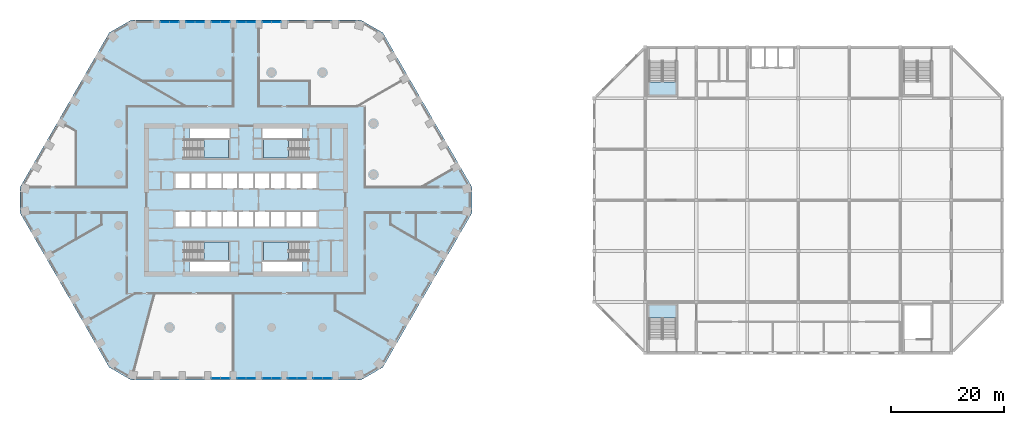
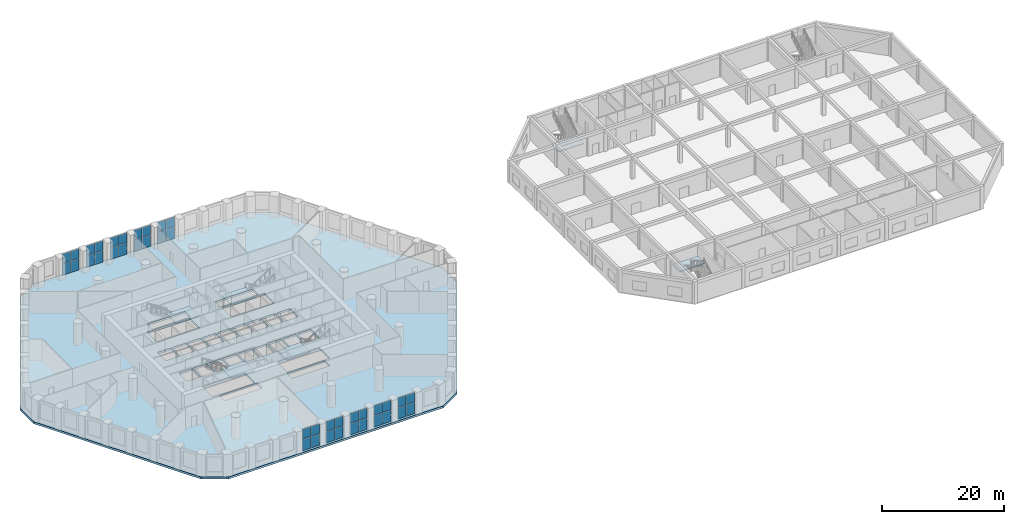
# One storey, part 5 of 26: 40 plates, 7 slabs, 16 elements without a shape of their own.
"""IFC4 building model written with IfcOpenShell, lengths in metres."""

from ifc_helpers import new_model, si_unit, direction, frame, origin, origin_2d, place, context, subcontext, project, spatial, polyline, rectangle, outline, extrude, material, layer, layer_set, type_object, element, aggregate, save


model = new_model("IFC4")

# Units and contexts
model_context = context("Model", 3, precision=1e-05, world=origin(), true_north=direction((0.0, 1.0)))
body_context = subcontext(model_context, "Body", "Model", "MODEL_VIEW")
ifc_project = project(units=[si_unit("LENGTHUNIT", "METRE"), si_unit("AREAUNIT", "SQUARE_METRE"), si_unit("VOLUMEUNIT", "CUBIC_METRE"), si_unit("PLANEANGLEUNIT", "RADIAN"), si_unit("MASSUNIT", "GRAM", prefix="KILO")], contexts=[model_context])

# Site, building, storey
site_placement = place(None, origin())
site = spatial("IfcSite", under=ifc_project, at=site_placement, CompositionType="ELEMENT")
building_placement = place(site_placement, origin())
building = spatial("IfcBuilding", under=site, at=building_placement, Name="Dhurran Vertical Campus", CompositionType="ELEMENT")
storey_placement = place(building_placement, frame((0.0, 0.0, 15.60009765625)))
storey = spatial("IfcBuildingStorey", under=building, at=storey_placement, Name="L03", CompositionType="ELEMENT", Elevation=15.60009765625)

# Slab
ifc_material_1 = material(Name="Concrete C40/50", Category="concrete")
ifc_layer_1 = layer(ifc_material_1, 0.39990234375)
ifc_layer_set_1 = layer_set([ifc_layer_1], Name="Concrete C40/50")
slab_type_1 = type_object("IfcSlabType", Name="FR POST-TENSIONED FLAT SLAB 400", PredefinedType="FLOOR", material=ifc_layer_set_1)
slab_1_placement = place(storey_placement, frame((0.0, 0.0, -0.400146484375)))
element("IfcSlab", 1, at=slab_1_placement, inside=storey, type_object=slab_type_1, Name="Floor slab L03", PredefinedType="FLOOR", context=body_context, shape_type="SweptSolid", body=[
    extrude(outline(polyline([(-20.25, -31.77978515625), (20.25, -31.77978515625), (24.147216796875, -29.52978515625), (39.897216796875, -2.25), (39.897216796875, 2.25), (24.147216796875, 29.52978515625), (20.25, 31.77978515625), (-20.25, 31.77978515625), (-24.147216796875, 29.52978515625), (-39.897216796875, 2.25), (-39.897216796875, -2.25), (-24.147216796875, -29.52978515625), (-20.25, -31.77978515625)]), holes=[polyline([(-12.47509765625, 2.050048828125), (-9.925048828125, 2.050048828125), (-9.925048828125, 4.75), (-12.47509765625, 4.75), (-12.47509765625, 2.050048828125)]), polyline([(-9.675048828125, 2.050048828125), (-7.125, 2.050048828125), (-7.125, 4.75), (-9.675048828125, 4.75), (-9.675048828125, 2.050048828125)]), polyline([(-6.875, 2.050048828125), (-4.324951171875, 2.050048828125), (-4.324951171875, 4.75), (-6.875, 4.75), (-6.875, 2.050048828125)]), polyline([(-1.27490234375, 2.050048828125), (1.27490234375, 2.050048828125), (1.27490234375, 4.75), (-1.27490234375, 4.75), (-1.27490234375, 2.050048828125)]), polyline([(9.925048828125, 2.050048828125), (12.47509765625, 2.050048828125), (12.47509765625, 4.75), (9.925048828125, 4.75), (9.925048828125, 2.050048828125)]), polyline([(-1.27490234375, -4.75), (1.27490234375, -4.75), (1.27490234375, -2.050048828125), (-1.27490234375, -2.050048828125), (-1.27490234375, -4.75)]), polyline([(1.52490234375, -4.75), (4.074951171875, -4.75), (4.074951171875, -2.050048828125), (1.52490234375, -2.050048828125), (1.52490234375, -4.75)]), polyline([(4.324951171875, -4.75), (6.875, -4.75), (6.875, -2.050048828125), (4.324951171875, -2.050048828125), (4.324951171875, -4.75)]), polyline([(7.125, -4.75), (9.675048828125, -4.75), (9.675048828125, -2.050048828125), (7.125, -2.050048828125), (7.125, -4.75)]), polyline([(9.925048828125, -4.75), (12.47509765625, -4.75), (12.47509765625, -2.050048828125), (9.925048828125, -2.050048828125), (9.925048828125, -4.75)]), polyline([(-4.074951171875, 2.050048828125), (-1.52490234375, 2.050048828125), (-1.52490234375, 4.75), (-4.074951171875, 4.75), (-4.074951171875, 2.050048828125)]), polyline([(1.52490234375, 2.050048828125), (4.074951171875, 2.050048828125), (4.074951171875, 4.75), (1.52490234375, 4.75), (1.52490234375, 2.050048828125)]), polyline([(4.324951171875, 2.050048828125), (6.875, 2.050048828125), (6.875, 4.75), (4.324951171875, 4.75), (4.324951171875, 2.050048828125)]), polyline([(7.125, 2.050048828125), (9.675048828125, 2.050048828125), (9.675048828125, 4.75), (7.125, 4.75), (7.125, 2.050048828125)]), polyline([(-12.47509765625, -4.75), (-9.925048828125, -4.75), (-9.925048828125, -2.050048828125), (-12.47509765625, -2.050048828125), (-12.47509765625, -4.75)]), polyline([(-9.675048828125, -4.75), (-7.125, -4.75), (-7.125, -2.050048828125), (-9.675048828125, -2.050048828125), (-9.675048828125, -4.75)]), polyline([(-6.875, -4.75), (-4.324951171875, -4.75), (-4.324951171875, -2.050048828125), (-6.875, -2.050048828125), (-6.875, -4.75)]), polyline([(-4.074951171875, -4.75), (-1.52490234375, -4.75), (-1.52490234375, -2.050048828125), (-4.074951171875, -2.050048828125), (-4.074951171875, -4.75)]), polyline([(-11.050048828125, 7.39990234375), (-3.050048828125, 7.39990234375), (-3.050048828125, 10.64990234375), (-11.050048828125, 10.64990234375), (-11.050048828125, 7.39990234375)]), polyline([(3.050048828125, 7.39990234375), (11.050048828125, 7.39990234375), (11.050048828125, 10.64990234375), (3.050048828125, 10.64990234375), (3.050048828125, 7.39990234375)]), polyline([(-11.050048828125, -10.64990234375), (-3.050048828125, -10.64990234375), (-3.050048828125, -7.39990234375), (-11.050048828125, -7.39990234375), (-11.050048828125, -10.64990234375)]), polyline([(3.050048828125, -10.64990234375), (11.050048828125, -10.64990234375), (11.050048828125, -7.39990234375), (3.050048828125, -7.39990234375), (3.050048828125, -10.64990234375)]), polyline([(-9.949951171875, 10.89990234375), (-9.949951171875, 12.60009765625), (-2.800048828125, 12.60009765625), (-2.800048828125, 10.89990234375), (-9.949951171875, 10.89990234375)]), polyline([(9.949951171875, 12.60009765625), (9.949951171875, 10.89990234375), (2.800048828125, 10.89990234375), (2.800048828125, 12.60009765625), (9.949951171875, 12.60009765625)]), polyline([(-9.949951171875, -12.60009765625), (-9.949951171875, -10.89990234375), (-2.800048828125, -10.89990234375), (-2.800048828125, -12.60009765625), (-9.949951171875, -12.60009765625)]), polyline([(9.949951171875, -10.89990234375), (9.949951171875, -12.60009765625), (2.800048828125, -12.60009765625), (2.800048828125, -10.89990234375), (9.949951171875, -10.89990234375)])]), origin(), (0.0, 0.0, 1.0), 0.400146484375),
])

# Curtain wall, plates
ifc_material_2 = material(Name="Aluminium frame with solar-control glass", Category="aluminium")
ifc_layer_2 = layer(ifc_material_2, 0.25)
ifc_layer_set_2 = layer_set([ifc_layer_2], Name="Aluminium frame with solar-control glass")
curtain_wall_type = type_object("IfcCurtainWallType", Name="Library atrium glazing system", PredefinedType="NOTDEFINED", material=ifc_layer_set_2)
curtain_wall_1_placement = place(storey_placement, origin())
curtain_wall_1 = element("IfcCurtainWall", 2, at=curtain_wall_1_placement, inside=storey, type_object=curtain_wall_type, Name="CW2 L03.03", PredefinedType="NOTDEFINED")
ifc_material_3 = material(Name="Clear solar-control glass", Category="glass")
ifc_layer_3 = layer(ifc_material_3, 0.028076171875)
ifc_layer_set_3 = layer_set([ifc_layer_3], Name="Clear solar-control glass")
plate_type = type_object("IfcPlateType", Name="Library atrium glazing system panel", PredefinedType="CURTAIN_PANEL", material=ifc_layer_set_3)
plate_1_placement = place(storey_placement, frame((-5.309814453125, -31.4296875, 0.059814453125), z_axis=(0.0, 0.0, 1.0), x_axis=(1.0, 0.0, 0.0)))
plate_1 = element("IfcPlate", 3, at=plate_1_placement, type_object=plate_type, Name="CW2 panel 1.1", PredefinedType="CURTAIN_PANEL", context=body_context, shape_type="SweptSolid", body=[
    extrude(rectangle(XDim=1.5595703125, YDim=0.028076171875, at=origin_2d()), origin(), (0.0, 0.0, 1.0), 2.31005859375),
])
plate_2_placement = place(storey_placement, frame((-5.309814453125, -31.4296875, 2.43017578125), z_axis=(0.0, 0.0, 1.0), x_axis=(1.0, 0.0, 0.0)))
plate_2 = element("IfcPlate", 4, at=plate_2_placement, type_object=plate_type, Name="CW2 panel 1.2", PredefinedType="CURTAIN_PANEL", context=body_context, shape_type="SweptSolid", body=[
    extrude(rectangle(XDim=1.5595703125, YDim=0.028076171875, at=origin_2d()), origin(), (0.0, 0.0, 1.0), 1.909912109375),
])
plate_3_placement = place(storey_placement, frame((-3.690185546875, -31.4296875, 0.059814453125), z_axis=(0.0, 0.0, 1.0), x_axis=(1.0, 0.0, 0.0)))
plate_3 = element("IfcPlate", 5, at=plate_3_placement, type_object=plate_type, Name="CW2 panel 2.1", PredefinedType="CURTAIN_PANEL", context=body_context, shape_type="SweptSolid", body=[
    extrude(rectangle(XDim=1.5595703125, YDim=0.028076171875, at=origin_2d()), origin(), (0.0, 0.0, 1.0), 2.31005859375),
])
plate_4_placement = place(storey_placement, frame((-3.690185546875, -31.4296875, 2.43017578125), z_axis=(0.0, 0.0, 1.0), x_axis=(1.0, 0.0, 0.0)))
plate_4 = element("IfcPlate", 6, at=plate_4_placement, type_object=plate_type, Name="CW2 panel 2.2", PredefinedType="CURTAIN_PANEL", context=body_context, shape_type="SweptSolid", body=[
    extrude(rectangle(XDim=1.5595703125, YDim=0.028076171875, at=origin_2d()), origin(), (0.0, 0.0, 1.0), 1.909912109375),
])
aggregate(curtain_wall_1, [plate_1, plate_2, plate_3, plate_4])

curtain_wall_2_placement = place(storey_placement, origin())
curtain_wall_2 = element("IfcCurtainWall", 7, at=curtain_wall_2_placement, inside=storey, type_object=curtain_wall_type, Name="CW2 L03.04", PredefinedType="NOTDEFINED")
plate_5_placement = place(storey_placement, frame((-0.809814453125, -31.4296875, 0.059814453125), z_axis=(0.0, 0.0, 1.0), x_axis=(1.0, 0.0, 0.0)))
plate_5 = element("IfcPlate", 8, at=plate_5_placement, type_object=plate_type, Name="CW2 panel 1.1", PredefinedType="CURTAIN_PANEL", context=body_context, shape_type="SweptSolid", body=[
    extrude(rectangle(XDim=1.5595703125, YDim=0.028076171875, at=origin_2d()), origin(), (0.0, 0.0, 1.0), 2.31005859375),
])
plate_6_placement = place(storey_placement, frame((-0.809814453125, -31.4296875, 2.43017578125), z_axis=(0.0, 0.0, 1.0), x_axis=(1.0, 0.0, 0.0)))
plate_6 = element("IfcPlate", 9, at=plate_6_placement, type_object=plate_type, Name="CW2 panel 1.2", PredefinedType="CURTAIN_PANEL", context=body_context, shape_type="SweptSolid", body=[
    extrude(rectangle(XDim=1.5595703125, YDim=0.028076171875, at=origin_2d()), origin(), (0.0, 0.0, 1.0), 1.909912109375),
])
plate_7_placement = place(storey_placement, frame((0.809814453125, -31.4296875, 0.059814453125), z_axis=(0.0, 0.0, 1.0), x_axis=(1.0, 0.0, 0.0)))
plate_7 = element("IfcPlate", 10, at=plate_7_placement, type_object=plate_type, Name="CW2 panel 2.1", PredefinedType="CURTAIN_PANEL", context=body_context, shape_type="SweptSolid", body=[
    extrude(rectangle(XDim=1.5595703125, YDim=0.028076171875, at=origin_2d()), origin(), (0.0, 0.0, 1.0), 2.31005859375),
])
plate_8_placement = place(storey_placement, frame((0.809814453125, -31.4296875, 2.43017578125), z_axis=(0.0, 0.0, 1.0), x_axis=(1.0, 0.0, 0.0)))
plate_8 = element("IfcPlate", 11, at=plate_8_placement, type_object=plate_type, Name="CW2 panel 2.2", PredefinedType="CURTAIN_PANEL", context=body_context, shape_type="SweptSolid", body=[
    extrude(rectangle(XDim=1.5595703125, YDim=0.028076171875, at=origin_2d()), origin(), (0.0, 0.0, 1.0), 1.909912109375),
])
aggregate(curtain_wall_2, [plate_5, plate_6, plate_7, plate_8])

curtain_wall_3_placement = place(storey_placement, origin())
curtain_wall_3 = element("IfcCurtainWall", 12, at=curtain_wall_3_placement, inside=storey, type_object=curtain_wall_type, Name="CW2 L03.05", PredefinedType="NOTDEFINED")
plate_9_placement = place(storey_placement, frame((3.690185546875, -31.4296875, 0.059814453125), z_axis=(0.0, 0.0, 1.0), x_axis=(1.0, 0.0, 0.0)))
plate_9 = element("IfcPlate", 13, at=plate_9_placement, type_object=plate_type, Name="CW2 panel 1.1", PredefinedType="CURTAIN_PANEL", context=body_context, shape_type="SweptSolid", body=[
    extrude(rectangle(XDim=1.5595703125, YDim=0.028076171875, at=origin_2d()), origin(), (0.0, 0.0, 1.0), 2.31005859375),
])
plate_10_placement = place(storey_placement, frame((3.690185546875, -31.4296875, 2.43017578125), z_axis=(0.0, 0.0, 1.0), x_axis=(1.0, 0.0, 0.0)))
plate_10 = element("IfcPlate", 14, at=plate_10_placement, type_object=plate_type, Name="CW2 panel 1.2", PredefinedType="CURTAIN_PANEL", context=body_context, shape_type="SweptSolid", body=[
    extrude(rectangle(XDim=1.5595703125, YDim=0.028076171875, at=origin_2d()), origin(), (0.0, 0.0, 1.0), 1.909912109375),
])
plate_11_placement = place(storey_placement, frame((5.309814453125, -31.4296875, 0.059814453125), z_axis=(0.0, 0.0, 1.0), x_axis=(1.0, 0.0, 0.0)))
plate_11 = element("IfcPlate", 15, at=plate_11_placement, type_object=plate_type, Name="CW2 panel 2.1", PredefinedType="CURTAIN_PANEL", context=body_context, shape_type="SweptSolid", body=[
    extrude(rectangle(XDim=1.5595703125, YDim=0.028076171875, at=origin_2d()), origin(), (0.0, 0.0, 1.0), 2.31005859375),
])
plate_12_placement = place(storey_placement, frame((5.309814453125, -31.4296875, 2.43017578125), z_axis=(0.0, 0.0, 1.0), x_axis=(1.0, 0.0, 0.0)))
plate_12 = element("IfcPlate", 16, at=plate_12_placement, type_object=plate_type, Name="CW2 panel 2.2", PredefinedType="CURTAIN_PANEL", context=body_context, shape_type="SweptSolid", body=[
    extrude(rectangle(XDim=1.5595703125, YDim=0.028076171875, at=origin_2d()), origin(), (0.0, 0.0, 1.0), 1.909912109375),
])
aggregate(curtain_wall_3, [plate_9, plate_10, plate_11, plate_12])

curtain_wall_4_placement = place(storey_placement, origin())
curtain_wall_4 = element("IfcCurtainWall", 17, at=curtain_wall_4_placement, inside=storey, type_object=curtain_wall_type, Name="CW2 L03.06", PredefinedType="NOTDEFINED")
plate_13_placement = place(storey_placement, frame((8.190185546875, -31.4296875, 0.059814453125), z_axis=(0.0, 0.0, 1.0), x_axis=(1.0, 0.0, 0.0)))
plate_13 = element("IfcPlate", 18, at=plate_13_placement, type_object=plate_type, Name="CW2 panel 1.1", PredefinedType="CURTAIN_PANEL", context=body_context, shape_type="SweptSolid", body=[
    extrude(rectangle(XDim=1.5595703125, YDim=0.028076171875, at=origin_2d()), origin(), (0.0, 0.0, 1.0), 2.31005859375),
])
plate_14_placement = place(storey_placement, frame((8.190185546875, -31.4296875, 2.43017578125), z_axis=(0.0, 0.0, 1.0), x_axis=(1.0, 0.0, 0.0)))
plate_14 = element("IfcPlate", 19, at=plate_14_placement, type_object=plate_type, Name="CW2 panel 1.2", PredefinedType="CURTAIN_PANEL", context=body_context, shape_type="SweptSolid", body=[
    extrude(rectangle(XDim=1.5595703125, YDim=0.028076171875, at=origin_2d()), origin(), (0.0, 0.0, 1.0), 1.909912109375),
])
plate_15_placement = place(storey_placement, frame((9.809814453125, -31.4296875, 0.059814453125), z_axis=(0.0, 0.0, 1.0), x_axis=(1.0, 0.0, 0.0)))
plate_15 = element("IfcPlate", 20, at=plate_15_placement, type_object=plate_type, Name="CW2 panel 2.1", PredefinedType="CURTAIN_PANEL", context=body_context, shape_type="SweptSolid", body=[
    extrude(rectangle(XDim=1.5595703125, YDim=0.028076171875, at=origin_2d()), origin(), (0.0, 0.0, 1.0), 2.31005859375),
])
plate_16_placement = place(storey_placement, frame((9.809814453125, -31.4296875, 2.43017578125), z_axis=(0.0, 0.0, 1.0), x_axis=(1.0, 0.0, 0.0)))
plate_16 = element("IfcPlate", 21, at=plate_16_placement, type_object=plate_type, Name="CW2 panel 2.2", PredefinedType="CURTAIN_PANEL", context=body_context, shape_type="SweptSolid", body=[
    extrude(rectangle(XDim=1.5595703125, YDim=0.028076171875, at=origin_2d()), origin(), (0.0, 0.0, 1.0), 1.909912109375),
])
aggregate(curtain_wall_4, [plate_13, plate_14, plate_15, plate_16])

curtain_wall_5_placement = place(storey_placement, origin())
curtain_wall_5 = element("IfcCurtainWall", 22, at=curtain_wall_5_placement, inside=storey, type_object=curtain_wall_type, Name="CW2 L03.07", PredefinedType="NOTDEFINED")
plate_17_placement = place(storey_placement, frame((12.690185546875, -31.4296875, 0.059814453125), z_axis=(0.0, 0.0, 1.0), x_axis=(1.0, 0.0, 0.0)))
plate_17 = element("IfcPlate", 23, at=plate_17_placement, type_object=plate_type, Name="CW2 panel 1.1", PredefinedType="CURTAIN_PANEL", context=body_context, shape_type="SweptSolid", body=[
    extrude(rectangle(XDim=1.5595703125, YDim=0.028076171875, at=origin_2d()), origin(), (0.0, 0.0, 1.0), 2.31005859375),
])
plate_18_placement = place(storey_placement, frame((12.690185546875, -31.4296875, 2.43017578125), z_axis=(0.0, 0.0, 1.0), x_axis=(1.0, 0.0, 0.0)))
plate_18 = element("IfcPlate", 24, at=plate_18_placement, type_object=plate_type, Name="CW2 panel 1.2", PredefinedType="CURTAIN_PANEL", context=body_context, shape_type="SweptSolid", body=[
    extrude(rectangle(XDim=1.5595703125, YDim=0.028076171875, at=origin_2d()), origin(), (0.0, 0.0, 1.0), 1.909912109375),
])
plate_19_placement = place(storey_placement, frame((14.309814453125, -31.4296875, 0.059814453125), z_axis=(0.0, 0.0, 1.0), x_axis=(1.0, 0.0, 0.0)))
plate_19 = element("IfcPlate", 25, at=plate_19_placement, type_object=plate_type, Name="CW2 panel 2.1", PredefinedType="CURTAIN_PANEL", context=body_context, shape_type="SweptSolid", body=[
    extrude(rectangle(XDim=1.5595703125, YDim=0.028076171875, at=origin_2d()), origin(), (0.0, 0.0, 1.0), 2.31005859375),
])
plate_20_placement = place(storey_placement, frame((14.309814453125, -31.4296875, 2.43017578125), z_axis=(0.0, 0.0, 1.0), x_axis=(1.0, 0.0, 0.0)))
plate_20 = element("IfcPlate", 26, at=plate_20_placement, type_object=plate_type, Name="CW2 panel 2.2", PredefinedType="CURTAIN_PANEL", context=body_context, shape_type="SweptSolid", body=[
    extrude(rectangle(XDim=1.5595703125, YDim=0.028076171875, at=origin_2d()), origin(), (0.0, 0.0, 1.0), 1.909912109375),
])
aggregate(curtain_wall_5, [plate_17, plate_18, plate_19, plate_20])

curtain_wall_6_placement = place(storey_placement, origin())
curtain_wall_6 = element("IfcCurtainWall", 27, at=curtain_wall_6_placement, inside=storey, type_object=curtain_wall_type, Name="CW2 L03.29", PredefinedType="NOTDEFINED")
plate_21_placement = place(storey_placement, frame((5.309814453125, 31.4296875, 0.059814453125), z_axis=(0.0, 0.0, 1.0), x_axis=(-1.0, 0.0, 0.0)))
plate_21 = element("IfcPlate", 28, at=plate_21_placement, type_object=plate_type, Name="CW2 panel 1.1", PredefinedType="CURTAIN_PANEL", context=body_context, shape_type="SweptSolid", body=[
    extrude(rectangle(XDim=1.5595703125, YDim=0.028076171875, at=origin_2d()), origin(), (0.0, 0.0, 1.0), 2.31005859375),
])
plate_22_placement = place(storey_placement, frame((5.309814453125, 31.4296875, 2.43017578125), z_axis=(0.0, 0.0, 1.0), x_axis=(-1.0, 0.0, 0.0)))
plate_22 = element("IfcPlate", 29, at=plate_22_placement, type_object=plate_type, Name="CW2 panel 1.2", PredefinedType="CURTAIN_PANEL", context=body_context, shape_type="SweptSolid", body=[
    extrude(rectangle(XDim=1.5595703125, YDim=0.028076171875, at=origin_2d()), origin(), (0.0, 0.0, 1.0), 1.909912109375),
])
plate_23_placement = place(storey_placement, frame((3.690185546875, 31.4296875, 0.059814453125), z_axis=(0.0, 0.0, 1.0), x_axis=(-1.0, 0.0, 0.0)))
plate_23 = element("IfcPlate", 30, at=plate_23_placement, type_object=plate_type, Name="CW2 panel 2.1", PredefinedType="CURTAIN_PANEL", context=body_context, shape_type="SweptSolid", body=[
    extrude(rectangle(XDim=1.5595703125, YDim=0.028076171875, at=origin_2d()), origin(), (0.0, 0.0, 1.0), 2.31005859375),
])
plate_24_placement = place(storey_placement, frame((3.690185546875, 31.4296875, 2.43017578125), z_axis=(0.0, 0.0, 1.0), x_axis=(-1.0, 0.0, 0.0)))
plate_24 = element("IfcPlate", 31, at=plate_24_placement, type_object=plate_type, Name="CW2 panel 2.2", PredefinedType="CURTAIN_PANEL", context=body_context, shape_type="SweptSolid", body=[
    extrude(rectangle(XDim=1.5595703125, YDim=0.028076171875, at=origin_2d()), origin(), (0.0, 0.0, 1.0), 1.909912109375),
])
aggregate(curtain_wall_6, [plate_21, plate_22, plate_23, plate_24])

curtain_wall_7_placement = place(storey_placement, origin())
curtain_wall_7 = element("IfcCurtainWall", 32, at=curtain_wall_7_placement, inside=storey, type_object=curtain_wall_type, Name="CW2 L03.30", PredefinedType="NOTDEFINED")
plate_25_placement = place(storey_placement, frame((0.809814453125, 31.4296875, 0.059814453125), z_axis=(0.0, 0.0, 1.0), x_axis=(-1.0, 0.0, 0.0)))
plate_25 = element("IfcPlate", 33, at=plate_25_placement, type_object=plate_type, Name="CW2 panel 1.1", PredefinedType="CURTAIN_PANEL", context=body_context, shape_type="SweptSolid", body=[
    extrude(rectangle(XDim=1.5595703125, YDim=0.028076171875, at=origin_2d()), origin(), (0.0, 0.0, 1.0), 2.31005859375),
])
plate_26_placement = place(storey_placement, frame((0.809814453125, 31.4296875, 2.43017578125), z_axis=(0.0, 0.0, 1.0), x_axis=(-1.0, 0.0, 0.0)))
plate_26 = element("IfcPlate", 34, at=plate_26_placement, type_object=plate_type, Name="CW2 panel 1.2", PredefinedType="CURTAIN_PANEL", context=body_context, shape_type="SweptSolid", body=[
    extrude(rectangle(XDim=1.5595703125, YDim=0.028076171875, at=origin_2d()), origin(), (0.0, 0.0, 1.0), 1.909912109375),
])
plate_27_placement = place(storey_placement, frame((-0.809814453125, 31.4296875, 0.059814453125), z_axis=(0.0, 0.0, 1.0), x_axis=(-1.0, 0.0, 0.0)))
plate_27 = element("IfcPlate", 35, at=plate_27_placement, type_object=plate_type, Name="CW2 panel 2.1", PredefinedType="CURTAIN_PANEL", context=body_context, shape_type="SweptSolid", body=[
    extrude(rectangle(XDim=1.5595703125, YDim=0.028076171875, at=origin_2d()), origin(), (0.0, 0.0, 1.0), 2.31005859375),
])
plate_28_placement = place(storey_placement, frame((-0.809814453125, 31.4296875, 2.43017578125), z_axis=(0.0, 0.0, 1.0), x_axis=(-1.0, 0.0, 0.0)))
plate_28 = element("IfcPlate", 36, at=plate_28_placement, type_object=plate_type, Name="CW2 panel 2.2", PredefinedType="CURTAIN_PANEL", context=body_context, shape_type="SweptSolid", body=[
    extrude(rectangle(XDim=1.5595703125, YDim=0.028076171875, at=origin_2d()), origin(), (0.0, 0.0, 1.0), 1.909912109375),
])
aggregate(curtain_wall_7, [plate_25, plate_26, plate_27, plate_28])

curtain_wall_8_placement = place(storey_placement, origin())
curtain_wall_8 = element("IfcCurtainWall", 37, at=curtain_wall_8_placement, inside=storey, type_object=curtain_wall_type, Name="CW2 L03.31", PredefinedType="NOTDEFINED")
plate_29_placement = place(storey_placement, frame((-3.690185546875, 31.4296875, 0.059814453125), z_axis=(0.0, 0.0, 1.0), x_axis=(-1.0, 0.0, 0.0)))
plate_29 = element("IfcPlate", 38, at=plate_29_placement, type_object=plate_type, Name="CW2 panel 1.1", PredefinedType="CURTAIN_PANEL", context=body_context, shape_type="SweptSolid", body=[
    extrude(rectangle(XDim=1.5595703125, YDim=0.028076171875, at=origin_2d()), origin(), (0.0, 0.0, 1.0), 2.31005859375),
])
plate_30_placement = place(storey_placement, frame((-3.690185546875, 31.4296875, 2.43017578125), z_axis=(0.0, 0.0, 1.0), x_axis=(-1.0, 0.0, 0.0)))
plate_30 = element("IfcPlate", 39, at=plate_30_placement, type_object=plate_type, Name="CW2 panel 1.2", PredefinedType="CURTAIN_PANEL", context=body_context, shape_type="SweptSolid", body=[
    extrude(rectangle(XDim=1.5595703125, YDim=0.028076171875, at=origin_2d()), origin(), (0.0, 0.0, 1.0), 1.909912109375),
])
plate_31_placement = place(storey_placement, frame((-5.309814453125, 31.4296875, 0.059814453125), z_axis=(0.0, 0.0, 1.0), x_axis=(-1.0, 0.0, 0.0)))
plate_31 = element("IfcPlate", 40, at=plate_31_placement, type_object=plate_type, Name="CW2 panel 2.1", PredefinedType="CURTAIN_PANEL", context=body_context, shape_type="SweptSolid", body=[
    extrude(rectangle(XDim=1.5595703125, YDim=0.028076171875, at=origin_2d()), origin(), (0.0, 0.0, 1.0), 2.31005859375),
])
plate_32_placement = place(storey_placement, frame((-5.309814453125, 31.4296875, 2.43017578125), z_axis=(0.0, 0.0, 1.0), x_axis=(-1.0, 0.0, 0.0)))
plate_32 = element("IfcPlate", 41, at=plate_32_placement, type_object=plate_type, Name="CW2 panel 2.2", PredefinedType="CURTAIN_PANEL", context=body_context, shape_type="SweptSolid", body=[
    extrude(rectangle(XDim=1.5595703125, YDim=0.028076171875, at=origin_2d()), origin(), (0.0, 0.0, 1.0), 1.909912109375),
])
aggregate(curtain_wall_8, [plate_29, plate_30, plate_31, plate_32])

curtain_wall_9_placement = place(storey_placement, origin())
curtain_wall_9 = element("IfcCurtainWall", 42, at=curtain_wall_9_placement, inside=storey, type_object=curtain_wall_type, Name="CW2 L03.32", PredefinedType="NOTDEFINED")
plate_33_placement = place(storey_placement, frame((-8.190185546875, 31.4296875, 0.059814453125), z_axis=(0.0, 0.0, 1.0), x_axis=(-1.0, 0.0, 0.0)))
plate_33 = element("IfcPlate", 43, at=plate_33_placement, type_object=plate_type, Name="CW2 panel 1.1", PredefinedType="CURTAIN_PANEL", context=body_context, shape_type="SweptSolid", body=[
    extrude(rectangle(XDim=1.5595703125, YDim=0.028076171875, at=origin_2d()), origin(), (0.0, 0.0, 1.0), 2.31005859375),
])
plate_34_placement = place(storey_placement, frame((-8.190185546875, 31.4296875, 2.43017578125), z_axis=(0.0, 0.0, 1.0), x_axis=(-1.0, 0.0, 0.0)))
plate_34 = element("IfcPlate", 44, at=plate_34_placement, type_object=plate_type, Name="CW2 panel 1.2", PredefinedType="CURTAIN_PANEL", context=body_context, shape_type="SweptSolid", body=[
    extrude(rectangle(XDim=1.5595703125, YDim=0.028076171875, at=origin_2d()), origin(), (0.0, 0.0, 1.0), 1.909912109375),
])
plate_35_placement = place(storey_placement, frame((-9.809814453125, 31.4296875, 0.059814453125), z_axis=(0.0, 0.0, 1.0), x_axis=(-1.0, 0.0, 0.0)))
plate_35 = element("IfcPlate", 45, at=plate_35_placement, type_object=plate_type, Name="CW2 panel 2.1", PredefinedType="CURTAIN_PANEL", context=body_context, shape_type="SweptSolid", body=[
    extrude(rectangle(XDim=1.5595703125, YDim=0.028076171875, at=origin_2d()), origin(), (0.0, 0.0, 1.0), 2.31005859375),
])
plate_36_placement = place(storey_placement, frame((-9.809814453125, 31.4296875, 2.43017578125), z_axis=(0.0, 0.0, 1.0), x_axis=(-1.0, 0.0, 0.0)))
plate_36 = element("IfcPlate", 46, at=plate_36_placement, type_object=plate_type, Name="CW2 panel 2.2", PredefinedType="CURTAIN_PANEL", context=body_context, shape_type="SweptSolid", body=[
    extrude(rectangle(XDim=1.5595703125, YDim=0.028076171875, at=origin_2d()), origin(), (0.0, 0.0, 1.0), 1.909912109375),
])
aggregate(curtain_wall_9, [plate_33, plate_34, plate_35, plate_36])

curtain_wall_10_placement = place(storey_placement, origin())
curtain_wall_10 = element("IfcCurtainWall", 47, at=curtain_wall_10_placement, inside=storey, type_object=curtain_wall_type, Name="CW2 L03.33", PredefinedType="NOTDEFINED")
plate_37_placement = place(storey_placement, frame((-12.690185546875, 31.4296875, 0.059814453125), z_axis=(0.0, 0.0, 1.0), x_axis=(-1.0, 0.0, 0.0)))
plate_37 = element("IfcPlate", 48, at=plate_37_placement, type_object=plate_type, Name="CW2 panel 1.1", PredefinedType="CURTAIN_PANEL", context=body_context, shape_type="SweptSolid", body=[
    extrude(rectangle(XDim=1.5595703125, YDim=0.028076171875, at=origin_2d()), origin(), (0.0, 0.0, 1.0), 2.31005859375),
])
plate_38_placement = place(storey_placement, frame((-12.690185546875, 31.4296875, 2.43017578125), z_axis=(0.0, 0.0, 1.0), x_axis=(-1.0, 0.0, 0.0)))
plate_38 = element("IfcPlate", 49, at=plate_38_placement, type_object=plate_type, Name="CW2 panel 1.2", PredefinedType="CURTAIN_PANEL", context=body_context, shape_type="SweptSolid", body=[
    extrude(rectangle(XDim=1.5595703125, YDim=0.028076171875, at=origin_2d()), origin(), (0.0, 0.0, 1.0), 1.909912109375),
])
plate_39_placement = place(storey_placement, frame((-14.309814453125, 31.4296875, 0.059814453125), z_axis=(0.0, 0.0, 1.0), x_axis=(-1.0, 0.0, 0.0)))
plate_39 = element("IfcPlate", 50, at=plate_39_placement, type_object=plate_type, Name="CW2 panel 2.1", PredefinedType="CURTAIN_PANEL", context=body_context, shape_type="SweptSolid", body=[
    extrude(rectangle(XDim=1.5595703125, YDim=0.028076171875, at=origin_2d()), origin(), (0.0, 0.0, 1.0), 2.31005859375),
])
plate_40_placement = place(storey_placement, frame((-14.309814453125, 31.4296875, 2.43017578125), z_axis=(0.0, 0.0, 1.0), x_axis=(-1.0, 0.0, 0.0)))
plate_40 = element("IfcPlate", 51, at=plate_40_placement, type_object=plate_type, Name="CW2 panel 2.2", PredefinedType="CURTAIN_PANEL", context=body_context, shape_type="SweptSolid", body=[
    extrude(rectangle(XDim=1.5595703125, YDim=0.028076171875, at=origin_2d()), origin(), (0.0, 0.0, 1.0), 1.909912109375),
])
aggregate(curtain_wall_10, [plate_37, plate_38, plate_39, plate_40])

# Stair, slab
ifc_material_4 = material(Name="Concrete C40/50", Category="concrete")
stair_type_1 = type_object("IfcStairType", Name="co-ST-CORE", PredefinedType="HALF_TURN_STAIR", material=ifc_material_4)
stair_1_placement = place(storey_placement, origin())
stair_1 = element("IfcStair", 52, at=stair_1_placement, inside=storey, type_object=stair_type_1, Name="L03 Protected exit stair ST1", PredefinedType="HALF_TURN_STAIR")
ifc_material_5 = material(Name="Concrete C40/50", Category="concrete")
ifc_layer_4 = layer(ifc_material_5, 0.199951171875)
ifc_layer_set_4 = layer_set([ifc_layer_4], Name="Concrete C40/50")
slab_type_2 = type_object("IfcSlabType", Name="co-SL-LANDING", PredefinedType="LANDING", material=ifc_layer_set_4)
slab_2_placement = place(storey_placement, frame((0.0, 0.0, 2.199951171875)))
slab_2 = element("IfcSlab", 53, at=slab_2_placement, type_object=slab_type_2, Name="ST1 landing 1", PredefinedType="LANDING", context=body_context, shape_type="SweptSolid", body=[
    extrude(outline(polyline([(-7.4599609375, 7.39990234375), (-3.050048828125, 7.39990234375), (-3.050048828125, 10.64990234375), (-7.4599609375, 10.64990234375), (-7.4599609375, 7.39990234375)])), origin(), (0.0, 0.0, 1.0), 0.199951171875),
])
aggregate(stair_1, [slab_2])

stair_2_placement = place(storey_placement, origin())
stair_2 = element("IfcStair", 54, at=stair_2_placement, inside=storey, type_object=stair_type_1, Name="L03 Protected exit stair ST2", PredefinedType="HALF_TURN_STAIR")
slab_3_placement = place(storey_placement, frame((0.0, 0.0, 2.199951171875)))
slab_3 = element("IfcSlab", 55, at=slab_3_placement, type_object=slab_type_2, Name="ST2 landing 1", PredefinedType="LANDING", context=body_context, shape_type="SweptSolid", body=[
    extrude(outline(polyline([(7.4599609375, 10.64990234375), (3.050048828125, 10.64990234375), (3.050048828125, 7.39990234375), (7.4599609375, 7.39990234375), (7.4599609375, 10.64990234375)])), origin(), (0.0, 0.0, 1.0), 0.199951171875),
])
aggregate(stair_2, [slab_3])

stair_3_placement = place(storey_placement, origin())
stair_3 = element("IfcStair", 56, at=stair_3_placement, inside=storey, type_object=stair_type_1, Name="L03 Protected exit stair ST3", PredefinedType="HALF_TURN_STAIR")
slab_4_placement = place(storey_placement, frame((0.0, 0.0, 2.199951171875)))
slab_4 = element("IfcSlab", 57, at=slab_4_placement, type_object=slab_type_2, Name="ST3 landing 1", PredefinedType="LANDING", context=body_context, shape_type="SweptSolid", body=[
    extrude(outline(polyline([(-7.4599609375, -10.64990234375), (-3.050048828125, -10.64990234375), (-3.050048828125, -7.39990234375), (-7.4599609375, -7.39990234375), (-7.4599609375, -10.64990234375)])), origin(), (0.0, 0.0, 1.0), 0.199951171875),
])
aggregate(stair_3, [slab_4])

stair_4_placement = place(storey_placement, origin())
stair_4 = element("IfcStair", 58, at=stair_4_placement, inside=storey, type_object=stair_type_1, Name="L03 Protected exit stair ST4", PredefinedType="HALF_TURN_STAIR")
slab_5_placement = place(storey_placement, frame((0.0, 0.0, 2.199951171875)))
slab_5 = element("IfcSlab", 59, at=slab_5_placement, type_object=slab_type_2, Name="ST4 landing 1", PredefinedType="LANDING", context=body_context, shape_type="SweptSolid", body=[
    extrude(outline(polyline([(7.4599609375, -7.39990234375), (3.050048828125, -7.39990234375), (3.050048828125, -10.64990234375), (7.4599609375, -10.64990234375), (7.4599609375, -7.39990234375)])), origin(), (0.0, 0.0, 1.0), 0.199951171875),
])
aggregate(stair_4, [slab_5])

ifc_material_6 = material(Name="Concrete C40/50", Category="concrete")
stair_type_2 = type_object("IfcStairType", Name="hl-exit stair dog-leg", PredefinedType="HALF_TURN_STAIR", material=ifc_material_6)
stair_5_placement = place(storey_placement, origin())
stair_5 = element("IfcStair", 60, at=stair_5_placement, inside=storey, type_object=stair_type_2, Name="L03 Exit stair HST1", PredefinedType="HALF_TURN_STAIR")
ifc_material_7 = material(Name="Concrete C40/50", Category="concrete")
ifc_layer_5 = layer(ifc_material_7, 0.199951171875)
ifc_layer_set_5 = layer_set([ifc_layer_5], Name="Concrete C40/50")
slab_type_3 = type_object("IfcSlabType", Name="hl-stair landing 200", PredefinedType="LANDING", material=ifc_layer_set_5)
slab_6_placement = place(storey_placement, frame((0.0, 0.0, 2.199951171875)))
slab_6 = element("IfcSlab", 61, at=slab_6_placement, type_object=slab_type_3, Name="HST1 landing 1", PredefinedType="LANDING", context=body_context, shape_type="SweptSolid", body=[
    extrude(outline(polyline([(75.89990234375, -20.85791015625), (75.89990234375, -18.550048828125), (71.14990234375, -18.550048828125), (71.14990234375, -20.85791015625), (75.89990234375, -20.85791015625)])), origin(), (0.0, 0.0, 1.0), 0.199951171875),
])
aggregate(stair_5, [slab_6])

stair_6_placement = place(storey_placement, origin())
stair_6 = element("IfcStair", 62, at=stair_6_placement, inside=storey, type_object=stair_type_2, Name="L03 Exit stair HST3", PredefinedType="HALF_TURN_STAIR")
slab_7_placement = place(storey_placement, frame((0.0, 0.0, 2.199951171875)))
slab_7 = element("IfcSlab", 63, at=slab_7_placement, type_object=slab_type_3, Name="HST3 landing 1", PredefinedType="LANDING", context=body_context, shape_type="SweptSolid", body=[
    extrude(outline(polyline([(71.14990234375, 20.85791015625), (71.14990234375, 18.550048828125), (75.89990234375, 18.550048828125), (75.89990234375, 20.85791015625), (71.14990234375, 20.85791015625)])), origin(), (0.0, 0.0, 1.0), 0.199951171875),
])
aggregate(stair_6, [slab_7])

save(model, "model.ifc")
